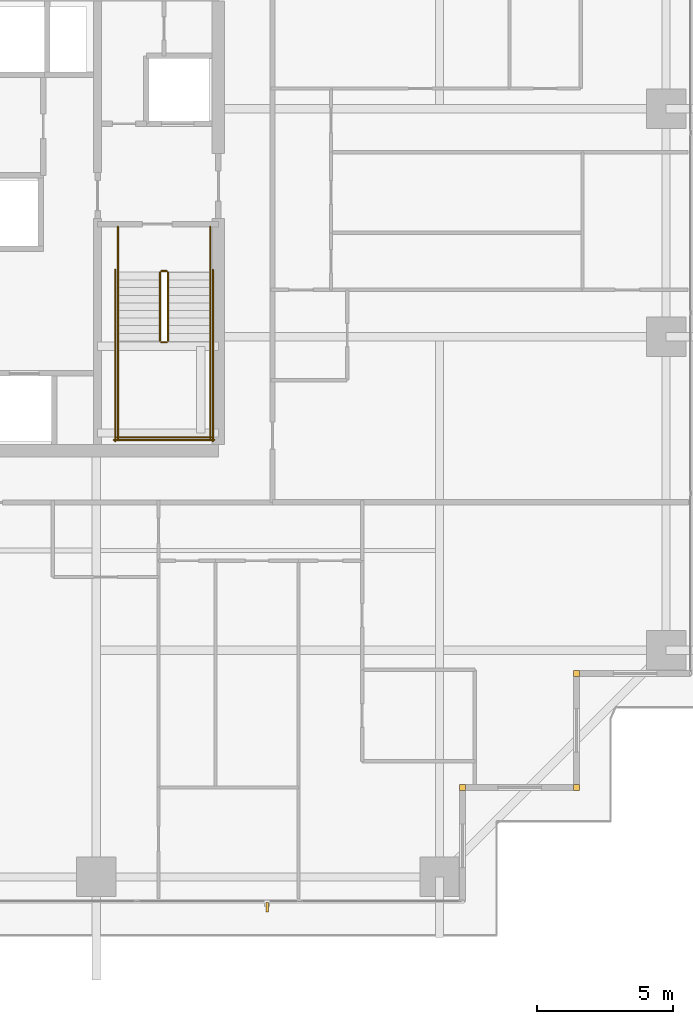
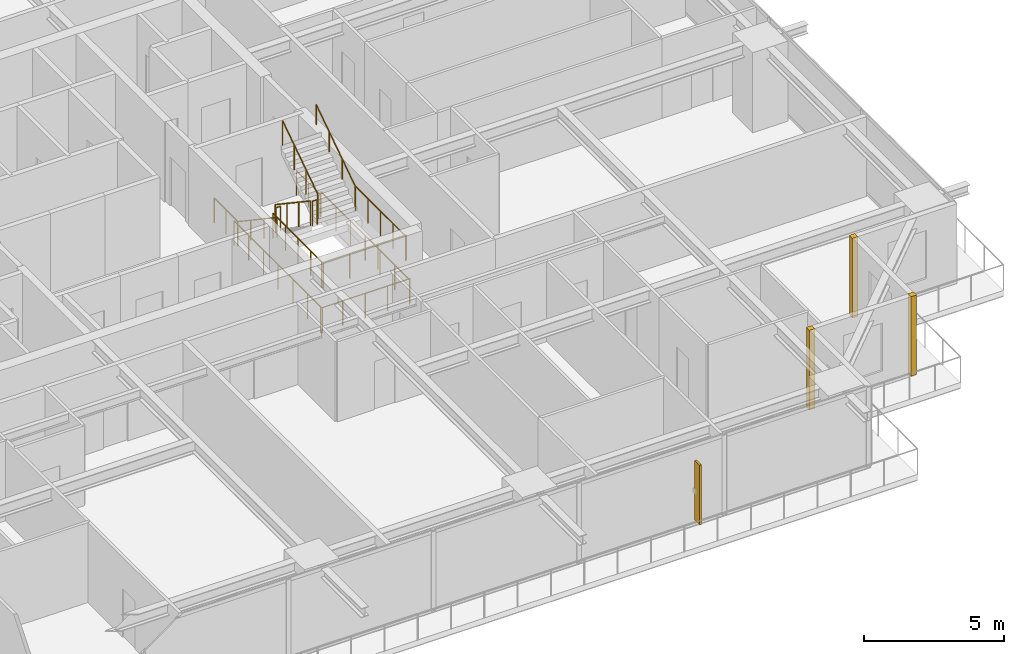
# One storey, part 34 of 36: 14 railings, 3 coverings, 1 shading device.
"""IFC4 building model written with IfcOpenShell, lengths in metres."""

from ifc_helpers import new_model, si_unit, direction, frame, origin, origin_2d, place, context, subcontext, project, spatial, rectangle, circle, extrude, source, transform, mapped, material, layer, layer_set, type_object, element, save


model = new_model("IFC4")

# Units and contexts
model_context = context("Model", 3, precision=1e-05, world=origin(), true_north=direction((0.0, 1.0)))
body_context = subcontext(model_context, "Body", "Model", "MODEL_VIEW")
ifc_project = project(units=[si_unit("LENGTHUNIT", "METRE"), si_unit("AREAUNIT", "SQUARE_METRE"), si_unit("VOLUMEUNIT", "CUBIC_METRE"), si_unit("PLANEANGLEUNIT", "RADIAN"), si_unit("MASSUNIT", "GRAM", prefix="KILO")], contexts=[model_context])

# Site, building, storey
site_placement = place(None, origin())
site = spatial("IfcSite", under=ifc_project, at=site_placement, CompositionType="ELEMENT")
building_placement = place(site_placement, origin())
building = spatial("IfcBuilding", under=site, at=building_placement, Name="Serunith Strait Residences", CompositionType="ELEMENT")
storey_placement = place(building_placement, frame((0.0, 0.0, 41.699951171875)))
storey = spatial("IfcBuildingStorey", under=building, at=storey_placement, Name="L09", CompositionType="ELEMENT", Elevation=41.699951171875)

# Railings
ifc_material_1 = material(Name="Brushed stainless steel 316L", Category="steel")
railing_type_1 = type_object("IfcRailingType", Name="RLG-STAIR-GUARD", PredefinedType="BALUSTRADE", material=ifc_material_1)
railing_1_placement = place(storey_placement, frame((39.25, 23.3701171875, 0.1875)))
element("IfcRailing", 1, at=railing_1_placement, inside=storey, type_object=railing_type_1, Name="L09 ST-2 stair guard 1", PredefinedType="BALUSTRADE", context=body_context, shape_type="SweptSolid", body=[
    extrude(circle(Radius=0.02392578125, at=origin_2d()), frame((0.0, -0.001708984375, 1.0771484375), z_axis=(0.0, -0.830909170722, 0.55640807867), x_axis=(1.0, 0.0, 0.0)), (0.0, 0.0, 1.0), 3.02880859375),
    extrude(circle(Radius=0.02099609375, at=origin_2d()), origin(), (0.0, 0.0, 1.0), 1.050048828125),
    extrude(circle(Radius=0.02099609375, at=origin_2d()), frame((0.0, -0.840087890625, 0.5625)), (0.0, 0.0, 1.0), 1.050048828125),
    extrude(circle(Radius=0.02099609375, at=origin_2d()), frame((0.0, -1.679931640625, 1.125)), (0.0, 0.0, 1.0), 1.050048828125),
    extrude(circle(Radius=0.02099609375, at=origin_2d()), frame((0.0, -2.52001953125, 1.6875)), (0.0, 0.0, 1.0), 1.050048828125),
])
railing_2_placement = place(storey_placement, frame((39.300048828125, 20.800048828125, 1.875)))
element("IfcRailing", 2, at=railing_2_placement, inside=storey, type_object=railing_type_1, Name="L09 ST-2 stair guard 2", PredefinedType="BALUSTRADE", context=body_context, shape_type="SweptSolid", body=[
    extrude(circle(Radius=0.02392578125, at=origin_2d()), frame((0.001953125, 0.0, 1.076171875), z_axis=(1.0, 0.0, 0.0), x_axis=(0.0, 1.0, 0.0)), (0.0, 0.0, 1.0), 0.196044921875),
    extrude(circle(Radius=0.02099609375, at=origin_2d()), origin(), (0.0, 0.0, 1.0), 1.050048828125),
    extrude(circle(Radius=0.02099609375, at=origin_2d()), frame((0.199951171875, 0.0, 0.0)), (0.0, 0.0, 1.0), 1.050048828125),
])
for number, where, name in (
    (3, (37.699951171875, 20.85009765625, 1.875), "L09 ST-2 stair guard 3"),
    (4, (41.10009765625, 20.85009765625, 1.875), "L09 ST-2 stair guard 4"),
):
    element("IfcRailing", number, at=place(storey_placement, frame(where)), inside=storey, type_object=railing_type_1, Name=name, PredefinedType="BALUSTRADE", context=body_context, shape_type="SweptSolid", body=[
        extrude(circle(Radius=0.02392578125, at=origin_2d()), frame((0.0, -0.001953125, 1.076171875), z_axis=(0.0, -1.0, 0.0), x_axis=(1.0, 0.0, 0.0)), (0.0, 0.0, 1.0), 3.59619140625),
        extrude(circle(Radius=0.02099609375, at=origin_2d()), origin(), (0.0, 0.0, 1.0), 1.050048828125),
        extrude(circle(Radius=0.02099609375, at=origin_2d()), frame((0.0, -0.89990234375, 0.0)), (0.0, 0.0, 1.0), 1.050048828125),
        extrude(circle(Radius=0.02099609375, at=origin_2d()), frame((0.0, -1.800048828125, 0.0)), (0.0, 0.0, 1.0), 1.050048828125),
        extrude(circle(Radius=0.02099609375, at=origin_2d()), frame((0.0, -2.7001953125, 0.0)), (0.0, 0.0, 1.0), 1.050048828125),
        extrude(circle(Radius=0.02099609375, at=origin_2d()), frame((0.0, -3.60009765625, 0.0)), (0.0, 0.0, 1.0), 1.050048828125),
    ])
railing_3_placement = place(storey_placement, frame((37.64990234375, 17.300048828125, 1.875)))
element("IfcRailing", 5, at=railing_3_placement, inside=storey, type_object=railing_type_1, Name="L09 ST-2 stair guard 5", PredefinedType="BALUSTRADE", context=body_context, shape_type="SweptSolid", body=[
    extrude(circle(Radius=0.02392578125, at=origin_2d()), frame((0.001953125, 0.0, 1.076171875), z_axis=(1.0, 0.0, 0.0), x_axis=(0.0, 1.0, 0.0)), (0.0, 0.0, 1.0), 3.49609375),
    extrude(circle(Radius=0.02099609375, at=origin_2d()), origin(), (0.0, 0.0, 1.0), 1.050048828125),
    extrude(circle(Radius=0.02099609375, at=origin_2d()), frame((1.166748046875, 0.0, 0.0)), (0.0, 0.0, 1.0), 1.050048828125),
    extrude(circle(Radius=0.02099609375, at=origin_2d()), frame((2.333251953125, 0.0, 0.0)), (0.0, 0.0, 1.0), 1.050048828125),
    extrude(circle(Radius=0.02099609375, at=origin_2d()), frame((3.5, 0.0, 0.0)), (0.0, 0.0, 1.0), 1.050048828125),
])
railing_4_placement = place(storey_placement, frame((39.550048828125, 20.85009765625, 2.0625)))
element("IfcRailing", 6, at=railing_4_placement, inside=storey, type_object=railing_type_1, Name="L09 ST-2 stair guard 6", PredefinedType="BALUSTRADE", context=body_context, shape_type="SweptSolid", body=[
    extrude(circle(Radius=0.02392578125, at=origin_2d()), frame((0.0, 0.001708984375, 1.0771484375), z_axis=(0.0, 0.830909170722, 0.55640807867), x_axis=(-1.0, 0.0, 0.0)), (0.0, 0.0, 1.0), 3.02880859375),
    extrude(circle(Radius=0.02099609375, at=origin_2d()), origin(), (0.0, 0.0, 1.0), 1.050048828125),
    extrude(circle(Radius=0.02099609375, at=origin_2d()), frame((0.0, 0.840087890625, 0.5625)), (0.0, 0.0, 1.0), 1.050048828125),
    extrude(circle(Radius=0.02099609375, at=origin_2d()), frame((0.0, 1.679931640625, 1.125)), (0.0, 0.0, 1.0), 1.050048828125),
    extrude(circle(Radius=0.02099609375, at=origin_2d()), frame((0.0, 2.52001953125, 1.6875)), (0.0, 0.0, 1.0), 1.050048828125),
])
railing_5_placement = place(storey_placement, frame((39.300048828125, 23.419921875, 0.0)))
element("IfcRailing", 7, at=railing_5_placement, inside=storey, type_object=railing_type_1, Name="L09 ST-2 stair guard 7", PredefinedType="BALUSTRADE", context=body_context, shape_type="SweptSolid", body=[
    extrude(circle(Radius=0.02392578125, at=origin_2d()), frame((0.001953125, 0.0, 1.076171875), z_axis=(1.0, 0.0, 0.0), x_axis=(0.0, 1.0, 0.0)), (0.0, 0.0, 1.0), 0.196044921875),
    extrude(circle(Radius=0.02099609375, at=origin_2d()), origin(), (0.0, 0.0, 1.0), 1.050048828125),
    extrude(circle(Radius=0.02099609375, at=origin_2d()), frame((0.199951171875, 0.0, 0.0)), (0.0, 0.0, 1.0), 1.050048828125),
])
for number, where, name in (
    (8, (37.699951171875, 25.050048828125, 0.0), "L09 ST-2 stair guard 8"),
    (9, (41.10009765625, 25.050048828125, 0.0), "L09 ST-2 stair guard 9"),
):
    element("IfcRailing", number, at=place(storey_placement, frame(where)), inside=storey, type_object=railing_type_1, Name=name, PredefinedType="BALUSTRADE", context=body_context, shape_type="SweptSolid", body=[
        extrude(circle(Radius=0.02392578125, at=origin_2d()), frame((0.0, -0.001953125, 1.076171875), z_axis=(0.0, -1.0, 0.0), x_axis=(1.0, 0.0, 0.0)), (0.0, 0.0, 1.0), 1.676025390625),
        extrude(circle(Radius=0.02099609375, at=origin_2d()), origin(), (0.0, 0.0, 1.0), 1.050048828125),
        extrude(circle(Radius=0.02099609375, at=origin_2d()), frame((0.0, -0.83984375, 0.0)), (0.0, 0.0, 1.0), 1.050048828125),
        extrude(circle(Radius=0.02099609375, at=origin_2d()), frame((0.0, -1.679931640625, 0.0)), (0.0, 0.0, 1.0), 1.050048828125),
    ])
for number, where, name in (
    (10, (37.60009765625, 23.469970703125, 0.0), "L09 ST-2 stair guard 10"),
    (11, (41.199951171875, 23.469970703125, 0.0), "L09 ST-2 stair guard 11"),
):
    element("IfcRailing", number, at=place(storey_placement, frame(where)), inside=storey, type_object=railing_type_1, Name=name, PredefinedType="BALUSTRADE", context=body_context, shape_type="SweptSolid", body=[
        extrude(circle(Radius=0.02392578125, at=origin_2d()), frame((0.0, -0.001953125, 1.076171875), z_axis=(0.0, -1.0, 0.0), x_axis=(1.0, 0.0, 0.0)), (0.0, 0.0, 1.0), 6.316162109375),
        extrude(circle(Radius=0.02099609375, at=origin_2d()), origin(), (0.0, 0.0, 1.0), 1.050048828125),
        extrude(circle(Radius=0.02099609375, at=origin_2d()), frame((0.0, -1.05322265625, 0.0)), (0.0, 0.0, 1.0), 1.050048828125),
        extrude(circle(Radius=0.02099609375, at=origin_2d()), frame((0.0, -2.106689453125, 0.0)), (0.0, 0.0, 1.0), 1.050048828125),
        extrude(circle(Radius=0.02099609375, at=origin_2d()), frame((0.0, -3.16015625, 0.0)), (0.0, 0.0, 1.0), 1.050048828125),
        extrude(circle(Radius=0.02099609375, at=origin_2d()), frame((0.0, -4.21337890625, 0.0)), (0.0, 0.0, 1.0), 1.050048828125),
        extrude(circle(Radius=0.02099609375, at=origin_2d()), frame((0.0, -5.2666015625, 0.0)), (0.0, 0.0, 1.0), 1.050048828125),
        extrude(circle(Radius=0.02099609375, at=origin_2d()), frame((0.0, -6.320068359375, 0.0)), (0.0, 0.0, 1.0), 1.050048828125),
    ])
railing_6_placement = place(storey_placement, frame((37.550048828125, 17.199951171875, 0.0)))
element("IfcRailing", 12, at=railing_6_placement, inside=storey, type_object=railing_type_1, Name="L09 ST-2 stair guard 12", PredefinedType="BALUSTRADE", context=body_context, shape_type="SweptSolid", body=[
    extrude(circle(Radius=0.02392578125, at=origin_2d()), frame((0.001953125, 0.0, 1.076171875), z_axis=(1.0, 0.0, 0.0), x_axis=(0.0, 1.0, 0.0)), (0.0, 0.0, 1.0), 3.696044921875),
    extrude(circle(Radius=0.02099609375, at=origin_2d()), origin(), (0.0, 0.0, 1.0), 1.050048828125),
    extrude(circle(Radius=0.02099609375, at=origin_2d()), frame((0.925048828125, 0.0, 0.0)), (0.0, 0.0, 1.0), 1.050048828125),
    extrude(circle(Radius=0.02099609375, at=origin_2d()), frame((1.85009765625, 0.0, 0.0)), (0.0, 0.0, 1.0), 1.050048828125),
    extrude(circle(Radius=0.02099609375, at=origin_2d()), frame((2.77490234375, 0.0, 0.0)), (0.0, 0.0, 1.0), 1.050048828125),
    extrude(circle(Radius=0.02099609375, at=origin_2d()), frame((3.699951171875, 0.0, 0.0)), (0.0, 0.0, 1.0), 1.050048828125),
])
railing_type_2 = type_object("IfcRailingType", Name="RLG-STAIR-HR", PredefinedType="HANDRAIL", material=ifc_material_1)
railing_7_placement = place(storey_placement, frame((37.699951171875, 23.3701171875, 0.1875)))
element("IfcRailing", 13, at=railing_7_placement, inside=storey, type_object=railing_type_2, Name="L09 ST-2 stair handrail 1", PredefinedType="HANDRAIL", context=body_context, shape_type="SweptSolid", body=[
    extrude(circle(Radius=0.02392578125, at=origin_2d()), frame((0.0, -0.001708984375, 0.876953125), z_axis=(0.0, -0.830208209119, 0.557453432594), x_axis=(1.0, 0.0, 0.0)), (0.0, 0.0, 1.0), 3.36865234375),
    extrude(circle(Radius=0.02099609375, at=origin_2d()), origin(), (0.0, 0.0, 1.0), 0.849853515625),
    extrude(circle(Radius=0.02099609375, at=origin_2d()), frame((0.0, -0.933349609375, 0.626708984375)), (0.0, 0.0, 1.0), 0.849853515625),
    extrude(circle(Radius=0.02099609375, at=origin_2d()), frame((0.0, -1.86669921875, 1.25341796875)), (0.0, 0.0, 1.0), 0.849853515625),
    extrude(circle(Radius=0.02099609375, at=origin_2d()), frame((0.0, -2.800048828125, 1.880126953125)), (0.0, 0.0, 1.0), 0.849853515625),
])
railing_8_placement = place(storey_placement, frame((41.10009765625, 20.85009765625, 2.0625)))
element("IfcRailing", 14, at=railing_8_placement, inside=storey, type_object=railing_type_2, Name="L09 ST-2 stair handrail 2", PredefinedType="HANDRAIL", context=body_context, shape_type="SweptSolid", body=[
    extrude(circle(Radius=0.02392578125, at=origin_2d()), frame((0.0, 0.001708984375, 0.876953125), z_axis=(0.0, 0.830185712471, 0.557486935101), x_axis=(-1.0, 0.0, 0.0)), (0.0, 0.0, 1.0), 3.368408203125),
    extrude(circle(Radius=0.02099609375, at=origin_2d()), origin(), (0.0, 0.0, 1.0), 0.849853515625),
    extrude(circle(Radius=0.02099609375, at=origin_2d()), frame((0.0, 0.933349609375, 0.626708984375)), (0.0, 0.0, 1.0), 0.849853515625),
    extrude(circle(Radius=0.02099609375, at=origin_2d()), frame((0.0, 1.866455078125, 1.25341796875)), (0.0, 0.0, 1.0), 0.849853515625),
    extrude(circle(Radius=0.02099609375, at=origin_2d()), frame((0.0, 2.7998046875, 1.880126953125)), (0.0, 0.0, 1.0), 0.849853515625),
])

# Coverings
ifc_material_2 = material(Name="Pale-Champagne Anodised Aluminium", Category="aluminium")
ifc_layer = layer(ifc_material_2, 0.219970703125, Name="Pale-Champagne Anodised Aluminium")
ifc_layer_set = layer_set([ifc_layer], Name="Pale-Champagne Anodised Aluminium")
covering_type = type_object("IfcCoveringType", Name="COV-CORN-TRIM", PredefinedType="CLADDING", material=ifc_layer_set)
shared_shape_1 = source(origin(), body_context, "Body", "SweptSolid", [
    extrude(rectangle(XDim=0.221923828125, YDim=0.221923828125, at=origin_2d()), origin(), (0.0, 0.0, 1.0), 3.47509765625),
])
for number, where, z_axis, x_axis, name in (
    (15, (50.39990234375, 4.39990234375, 0.0), (0.0, 0.0, 1.0), (1.0, 0.0, 0.0), "L09 Girih Serrated Corner Trim Post 02"),
    (16, (54.60009765625, 4.39990234375, 0.0), (0.0, 0.0, 1.0), (1.0, 0.0, 0.0), "L09 Girih Serrated Corner Trim Post 03"),
    (17, (54.60009765625, 8.60009765625, 0.0), (0.0, 0.0, 1.0), (1.0, 0.0, 0.0), "L09 Girih Serrated Corner Trim Post 04"),
):
    element("IfcCovering", number, at=place(storey_placement, frame(where, z_axis=z_axis, x_axis=x_axis)), inside=storey, type_object=covering_type, Name=name, PredefinedType="CLADDING", context=body_context, shape_type="MappedRepresentation", body=[
        mapped(shared_shape_1, transform((0.0, 0.0, 0.0), scale=1.0)),
    ])

# Shading device
ifc_material_3 = material(Name="Pale-Champagne Perforated Aluminium Fin", Category="aluminium")
shading_device_type = type_object("IfcShadingDeviceType", Name="SHD-DIAG-FIN", PredefinedType="AWNING", material=ifc_material_3)
shared_shape_2 = source(origin(), body_context, "Body", "SweptSolid", [
    extrude(rectangle(XDim=0.080078125, YDim=0.35009765625, at=origin_2d()), origin(), (0.0, 0.0, 1.0), 2.60009765625),
])
shading_device_placement = place(storey_placement, frame((43.199951171875, -0.02001953125, 0.199951171875), z_axis=(0.0, 0.0, 1.0), x_axis=(1.0, 0.0, 0.0)))
element("IfcShadingDevice", 18, at=shading_device_placement, inside=storey, type_object=shading_device_type, Name="L09 Diagonal Rhythm Solar Fin S", PredefinedType="AWNING", context=body_context, shape_type="MappedRepresentation", body=[
    mapped(shared_shape_2, transform((0.0, 0.0, 0.0), scale=1.0)),
])

save(model, "model.ifc")
